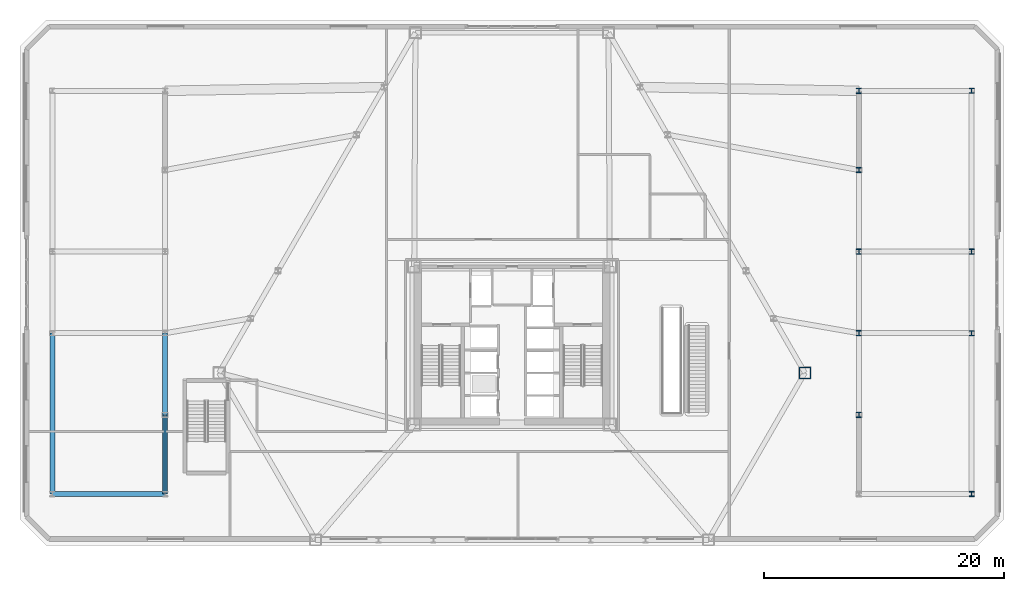
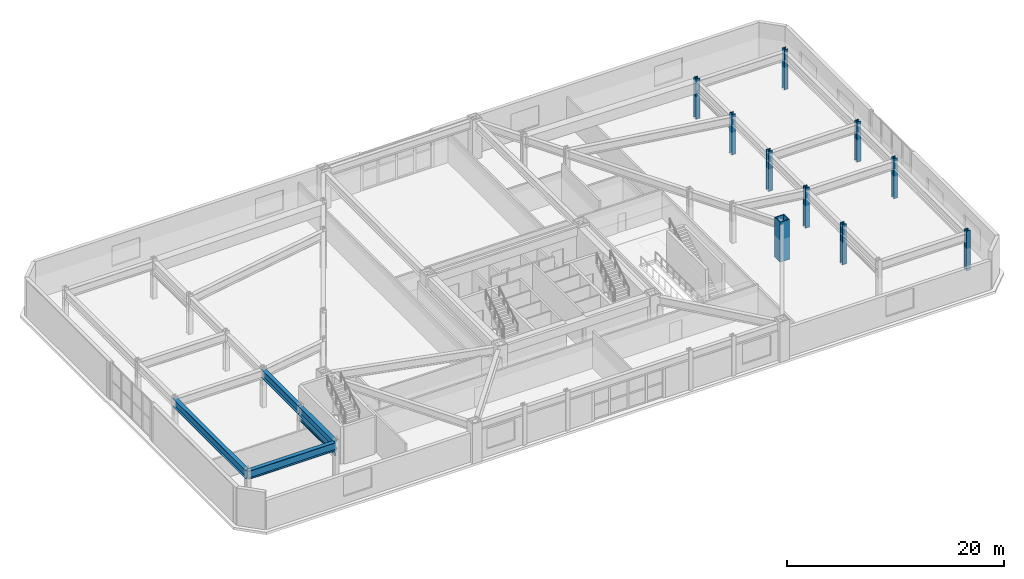
# One storey, part 2 of 21: 10 columns, 5 beams.
"""IFC4 building model written with IfcOpenShell, lengths in metres."""

from ifc_helpers import new_model, si_unit, direction, frame, origin, origin_2d, place, context, subcontext, project, spatial, hollow_rectangle, i_section, extrude, material, material_profile, profile_set, type_object, element, save


model = new_model("IFC4")

# Units and contexts
model_context = context("Model", 3, precision=1e-05, world=origin(), true_north=direction((0.0, 1.0)))
body_context = subcontext(model_context, "Body", "Model", "MODEL_VIEW")
ifc_project = project(units=[si_unit("LENGTHUNIT", "METRE"), si_unit("AREAUNIT", "SQUARE_METRE"), si_unit("VOLUMEUNIT", "CUBIC_METRE"), si_unit("PLANEANGLEUNIT", "RADIAN"), si_unit("MASSUNIT", "GRAM", prefix="KILO")], contexts=[model_context])

# Site, building, storey
site_placement = place(None, origin())
site = spatial("IfcSite", under=ifc_project, at=site_placement, CompositionType="ELEMENT")
building_placement = place(site_placement, origin())
building = spatial("IfcBuilding", under=site, at=building_placement, Name="Oramaril Tower", CompositionType="ELEMENT")
storey_placement = place(building_placement, frame((0.0, 0.0, 5.39990234375)))
storey = spatial("IfcBuildingStorey", under=building, at=storey_placement, Name="L01", CompositionType="ELEMENT", Elevation=5.39990234375)

# Columns
ifc_material_1 = material(Name="Steel ASTM A572 Gr 50", Category="steel")
ifc_material_profile_1 = material_profile(ifc_material_1, hollow_rectangle(XDim=1.0, YDim=1.0, WallThickness=0.0849609375, at=origin_2d()), Name="BOX1000X1000X85")
ifc_profile_set_1 = profile_set([ifc_material_profile_1], Name="Steel ASTM A572 Gr 50")
column_type_1 = type_object("IfcColumnType", Name="CT-TC1", PredefinedType="COLUMN", material=ifc_profile_set_1)
column_placement = place(storey_placement, frame((61.910400390625, 15.300048828125, 0.004638671875), z_axis=(0.0, 0.0, 1.0), x_axis=(1.0, 0.0, 0.0)))
element("IfcColumn", 1, at=column_placement, inside=storey, type_object=column_type_1, Name="L01 Tube Column TC-04", PredefinedType="COLUMN", context=body_context, shape_type="SweptSolid", body=[
    extrude(hollow_rectangle(XDim=1.0, YDim=1.0, WallThickness=0.0849609375, at=origin_2d()), origin(), (0.0, 0.0, 1.0), 4.490966796875),
])
ifc_material_2 = material(Name="Steel ASTM A572 Gr 50", Category="steel")
ifc_material_profile_2 = material_profile(ifc_material_2, i_section(OverallWidth=0.422119140625, OverallDepth=0.465087890625, WebThickness=0.044921875, FlangeThickness=0.072021484375, at=origin_2d()), Name="W14X398")
ifc_profile_set_2 = profile_set([ifc_material_profile_2], Name="Steel ASTM A572 Gr 50")
column_type_2 = type_object("IfcColumnType", Name="CT-TF1", PredefinedType="COLUMN", material=ifc_profile_set_2)
for number, where, z_axis, x_axis, name in (
    (2, (66.39990234375, 11.800048828125, 0.0), (0.0, 0.0, 1.0), (1.0, 0.0, 0.0), "L01 Podium Column PCOL-08"),
    (3, (66.39990234375, 18.60009765625, 0.0), (0.0, 0.0, 1.0), (1.0, 0.0, 0.0), "L01 Podium Column PCOL-09"),
    (4, (66.39990234375, 25.39990234375, 0.0), (0.0, 0.0, 1.0), (1.0, 0.0, 0.0), "L01 Podium Column PCOL-10"),
    (5, (66.39990234375, 32.199951171875, 0.0), (0.0, 0.0, 1.0), (1.0, 0.0, 0.0), "L01 Podium Column PCOL-11"),
    (6, (66.39990234375, 38.800048828125, 0.0), (0.0, 0.0, 1.0), (1.0, 0.0, 0.0), "L01 Podium Column PCOL-12"),
):
    element("IfcColumn", number, at=place(storey_placement, frame(where, z_axis=z_axis, x_axis=x_axis)), inside=storey, type_object=column_type_2, Name=name, PredefinedType="COLUMN", context=body_context, shape_type="SweptSolid", body=[
        extrude(i_section(OverallWidth=0.422119140625, OverallDepth=0.465087890625, WebThickness=0.044921875, FlangeThickness=0.072021484375, at=origin_2d()), origin(), (0.0, 0.0, 1.0), 4.5),
    ])
ifc_material_3 = material(Name="Steel ASTM A572 Gr 50", Category="steel")
ifc_material_profile_3 = material_profile(ifc_material_3, i_section(OverallWidth=0.410888671875, OverallDepth=0.43408203125, WebThickness=0.035888671875, FlangeThickness=0.057373046875, at=origin_2d()), Name="W14X311")
ifc_profile_set_3 = profile_set([ifc_material_profile_3], Name="Steel ASTM A572 Gr 50")
column_type_3 = type_object("IfcColumnType", Name="CT-TF2", PredefinedType="COLUMN", material=ifc_profile_set_3)
for number, where, z_axis, x_axis, name in (
    (7, (75.800048828125, 5.199951171875, 0.0), (0.0, 0.0, 1.0), (1.0, 0.0, 0.0), "L01 Lower Podium Wing Column WCOL-05"),
    (8, (75.800048828125, 18.60009765625, 0.0), (0.0, 0.0, 1.0), (1.0, 0.0, 0.0), "L01 Lower Podium Wing Column WCOL-06"),
    (9, (75.800048828125, 25.39990234375, 0.0), (0.0, 0.0, 1.0), (1.0, 0.0, 0.0), "L01 Lower Podium Wing Column WCOL-07"),
    (10, (75.800048828125, 38.800048828125, 0.0), (0.0, 0.0, 1.0), (1.0, 0.0, 0.0), "L01 Lower Podium Wing Column WCOL-08"),
):
    element("IfcColumn", number, at=place(storey_placement, frame(where, z_axis=z_axis, x_axis=x_axis)), inside=storey, type_object=column_type_3, Name=name, PredefinedType="COLUMN", context=body_context, shape_type="SweptSolid", body=[
        extrude(i_section(OverallWidth=0.410888671875, OverallDepth=0.43408203125, WebThickness=0.035888671875, FlangeThickness=0.057373046875, at=origin_2d()), origin(), (0.0, 0.0, 1.0), 4.5),
    ])

# Beams
ifc_material_4 = material(Name="Steel ASTM A572 Gr 50", Category="steel")
ifc_material_profile_4 = material_profile(ifc_material_4, i_section(OverallWidth=0.1650390625, OverallDepth=0.31005859375, WebThickness=0.005859375, FlangeThickness=0.009765625, at=origin_2d()), Name="W12X26")
ifc_profile_set_4 = profile_set([ifc_material_profile_4], Name="Steel ASTM A572 Gr 50")
beam_type_1 = type_object("IfcBeamType", Name="BT-LN1", PredefinedType="LINTEL", material=ifc_profile_set_4)
beam_1_placement = place(storey_placement, frame((8.60009765625, 5.199951171875, 2.695068359375), z_axis=(0.0, 1.0, 0.0), x_axis=(-1.0, 0.0, 0.0)))
element("IfcBeam", 11, at=beam_1_placement, inside=storey, type_object=beam_type_1, Name="L01 Podium Opening Lintel Beam", PredefinedType="LINTEL", context=body_context, shape_type="SweptSolid", body=[
    extrude(i_section(OverallWidth=0.1650390625, OverallDepth=0.31005859375, WebThickness=0.005859375, FlangeThickness=0.009765625, at=origin_2d()), origin(), (0.0, 0.0, 1.0), 6.60009765625),
])
ifc_material_5 = material(Name="Steel ASTM A572 Gr 50", Category="steel")
ifc_material_profile_5 = material_profile(ifc_material_5, i_section(OverallWidth=0.424072265625, OverallDepth=0.947021484375, WebThickness=0.02392578125, FlangeThickness=0.042724609375, at=origin_2d()), Name="W36X302")
ifc_profile_set_5 = profile_set([ifc_material_profile_5], Name="Steel ASTM A572 Gr 50")
beam_type_2 = type_object("IfcBeamType", Name="BT-PG1", PredefinedType="BEAM", material=ifc_profile_set_5)
beam_2_placement = place(storey_placement, frame((-0.800048828125, 5.199951171875, 3.74658203125), z_axis=(1.0, 0.0, 0.0), x_axis=(0.0, 1.0, 0.0)))
element("IfcBeam", 12, at=beam_2_placement, inside=storey, type_object=beam_type_2, Name="L01 Wing Transverse Girder 01", PredefinedType="BEAM", context=body_context, shape_type="SweptSolid", body=[
    extrude(i_section(OverallWidth=0.424072265625, OverallDepth=0.947021484375, WebThickness=0.02392578125, FlangeThickness=0.042724609375, at=origin_2d()), origin(), (0.0, 0.0, 1.0), 9.400146484375),
])
ifc_material_6 = material(Name="Steel ASTM A572 Gr 50", Category="steel")
ifc_material_profile_6 = material_profile(ifc_material_6, i_section(OverallWidth=0.4189453125, OverallDepth=0.927001953125, WebThickness=0.019287109375, FlangeThickness=0.031982421875, at=origin_2d()), Name="W36X231")
ifc_profile_set_6 = profile_set([ifc_material_profile_6], Name="Steel ASTM A572 Gr 50")
beam_type_3 = type_object("IfcBeamType", Name="BT-PG2", PredefinedType="BEAM", material=ifc_profile_set_6)
beam_3_placement = place(storey_placement, frame((8.60009765625, 5.199951171875, 3.756591796875), z_axis=(0.0, 1.0, 0.0), x_axis=(-1.0, 0.0, 0.0)))
element("IfcBeam", 13, at=beam_3_placement, inside=storey, type_object=beam_type_3, Name="L01 Podium Perimeter Girder 01", PredefinedType="BEAM", context=body_context, shape_type="SweptSolid", body=[
    extrude(i_section(OverallWidth=0.4189453125, OverallDepth=0.927001953125, WebThickness=0.019287109375, FlangeThickness=0.031982421875, at=origin_2d()), origin(), (0.0, 0.0, 1.0), 6.60009765625),
])
beam_4_placement = place(storey_placement, frame((8.60009765625, 11.800048828125, 3.756591796875), z_axis=(0.0, 1.0, 0.0), x_axis=(-1.0, 0.0, 0.0)))
element("IfcBeam", 14, at=beam_4_placement, inside=storey, type_object=beam_type_3, Name="L01 Podium Perimeter Girder 02", PredefinedType="BEAM", context=body_context, shape_type="SweptSolid", body=[
    extrude(i_section(OverallWidth=0.4189453125, OverallDepth=0.927001953125, WebThickness=0.019287109375, FlangeThickness=0.031982421875, at=origin_2d()), origin(), (0.0, 0.0, 1.0), 6.800048828125),
])
beam_5_placement = place(storey_placement, frame((-0.800048828125, 5.199951171875, 3.756591796875), z_axis=(0.0, 1.0, 0.0), x_axis=(-1.0, 0.0, 0.0)))
element("IfcBeam", 15, at=beam_5_placement, inside=storey, type_object=beam_type_3, Name="L01 Wing Perimeter Girder 01", PredefinedType="BEAM", context=body_context, shape_type="SweptSolid", body=[
    extrude(i_section(OverallWidth=0.4189453125, OverallDepth=0.927001953125, WebThickness=0.019287109375, FlangeThickness=0.031982421875, at=origin_2d()), origin(), (0.0, 0.0, 1.0), 13.400146484375),
])

save(model, "model.ifc")
